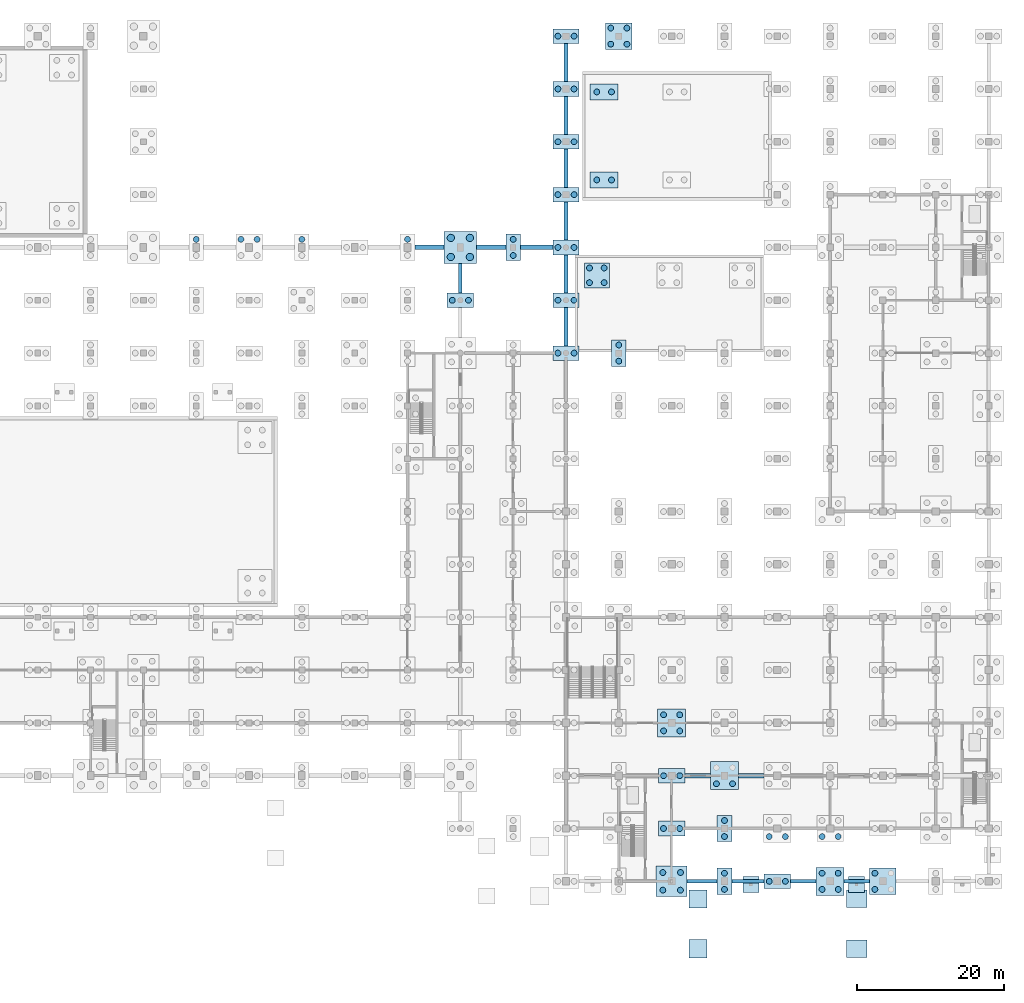
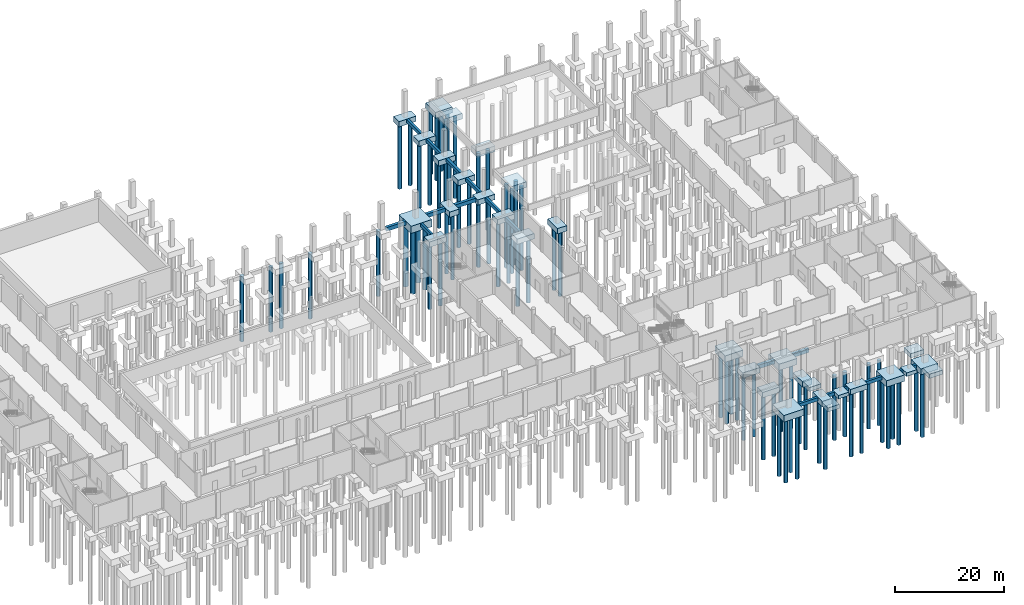
# One storey, part 6 of 35: 71 piles, 47 footings.
"""IFC4 building model written with IfcOpenShell, lengths in metres."""

from ifc_helpers import new_model, si_unit, direction, frame, origin, origin_2d, place, context, subcontext, project, spatial, polyline, rectangle, circle, outline, extrude, material, material_profile, profile_set, type_object, element, save


model = new_model("IFC4")

# Units and contexts
model_context = context("Model", 3, precision=1e-05, world=origin(), true_north=direction((0.0, 1.0)))
body_context = subcontext(model_context, "Body", "Model", "MODEL_VIEW")
ifc_project = project(units=[si_unit("LENGTHUNIT", "METRE"), si_unit("AREAUNIT", "SQUARE_METRE"), si_unit("VOLUMEUNIT", "CUBIC_METRE"), si_unit("PLANEANGLEUNIT", "RADIAN"), si_unit("MASSUNIT", "GRAM", prefix="KILO")], contexts=[model_context])

# Site, building, storey
site_placement = place(None, origin())
site = spatial("IfcSite", under=ifc_project, at=site_placement, CompositionType="ELEMENT")
building_placement = place(site_placement, origin())
building = spatial("IfcBuilding", under=site, at=building_placement, Name="Vesperath Aquatics Centre", CompositionType="ELEMENT")
storey_placement = place(building_placement, frame((0.0, 0.0, -5.39990234375)))
storey = spatial("IfcBuildingStorey", under=building, at=storey_placement, Name="B1", CompositionType="ELEMENT", Elevation=-5.39990234375)

# Footings
ifc_material_1 = material(Name="Concrete C40", Category="concrete")
footing_type_1 = type_object("IfcFootingType", Name="FT-GB01", PredefinedType="FOOTING_BEAM", material=ifc_material_1)
footing_1_placement = place(storey_placement, frame((0.0, 0.0, -1.150146484375)))
element("IfcFooting", 1, at=footing_1_placement, inside=storey, type_object=footing_type_1, Name="Foundation Ground Beam GB01 15 M-N", PredefinedType="FOOTING_BEAM", context=body_context, shape_type="SweptSolid", body=[
    extrude(outline(polyline([(100.574951171875, 80.199951171875), (101.02490234375, 80.199951171875), (101.02490234375, 84.199951171875), (100.574951171875, 84.199951171875), (100.574951171875, 80.199951171875)])), origin(), (0.0, 0.0, 1.0), 0.699951171875),
])
footing_type_2 = type_object("IfcFootingType", Name="FT-GB02", PredefinedType="FOOTING_BEAM", material=ifc_material_1)
footing_2_placement = place(storey_placement, frame((0.0, 0.0, -1.2001953125)))
element("IfcFooting", 2, at=footing_2_placement, inside=storey, type_object=footing_type_2, Name="Foundation Ground Beam GB02 17 L-M", PredefinedType="FOOTING_BEAM", context=body_context, shape_type="SweptSolid", body=[
    extrude(outline(polyline([(114.949951171875, 73.0), (115.449951171875, 73.0), (115.449951171875, 78.199951171875), (114.949951171875, 78.199951171875), (114.949951171875, 73.0)])), origin(), (0.0, 0.0, 1.0), 0.75),
])
footing_3_placement = place(storey_placement, frame((0.0, 0.0, -1.2001953125)))
element("IfcFooting", 3, at=footing_3_placement, inside=storey, type_object=footing_type_2, Name="Foundation Ground Beam GB02 17 M-N", PredefinedType="FOOTING_BEAM", context=body_context, shape_type="SweptSolid", body=[
    extrude(outline(polyline([(114.949951171875, 80.199951171875), (115.449951171875, 80.199951171875), (115.449951171875, 85.39990234375), (114.949951171875, 85.39990234375), (114.949951171875, 80.199951171875)])), origin(), (0.0, 0.0, 1.0), 0.75),
])
footing_4_placement = place(storey_placement, frame((0.0, 0.0, -1.2001953125)))
element("IfcFooting", 4, at=footing_4_placement, inside=storey, type_object=footing_type_2, Name="Foundation Ground Beam GB02 17 N-P", PredefinedType="FOOTING_BEAM", context=body_context, shape_type="SweptSolid", body=[
    extrude(outline(polyline([(114.949951171875, 87.39990234375), (115.449951171875, 87.39990234375), (115.449951171875, 92.60009765625), (114.949951171875, 92.60009765625), (114.949951171875, 87.39990234375)])), origin(), (0.0, 0.0, 1.0), 0.75),
])
footing_5_placement = place(storey_placement, frame((0.0, 0.0, -1.2001953125)))
element("IfcFooting", 5, at=footing_5_placement, inside=storey, type_object=footing_type_2, Name="Foundation Ground Beam GB02 17 P-Q", PredefinedType="FOOTING_BEAM", context=body_context, shape_type="SweptSolid", body=[
    extrude(outline(polyline([(114.949951171875, 94.60009765625), (115.449951171875, 94.60009765625), (115.449951171875, 99.800048828125), (114.949951171875, 99.800048828125), (114.949951171875, 94.60009765625)])), origin(), (0.0, 0.0, 1.0), 0.75),
])
footing_6_placement = place(storey_placement, frame((0.0, 0.0, -1.2001953125)))
element("IfcFooting", 6, at=footing_6_placement, inside=storey, type_object=footing_type_2, Name="Foundation Ground Beam GB02 17 Q-R", PredefinedType="FOOTING_BEAM", context=body_context, shape_type="SweptSolid", body=[
    extrude(outline(polyline([(114.949951171875, 101.800048828125), (115.449951171875, 101.800048828125), (115.449951171875, 107.0), (114.949951171875, 107.0), (114.949951171875, 101.800048828125)])), origin(), (0.0, 0.0, 1.0), 0.75),
])
footing_7_placement = place(storey_placement, frame((0.0, 0.0, -1.2001953125)))
element("IfcFooting", 7, at=footing_7_placement, inside=storey, type_object=footing_type_2, Name="Foundation Ground Beam GB02 17 R-S", PredefinedType="FOOTING_BEAM", context=body_context, shape_type="SweptSolid", body=[
    extrude(outline(polyline([(114.949951171875, 109.0), (115.449951171875, 109.0), (115.449951171875, 114.199951171875), (114.949951171875, 114.199951171875), (114.949951171875, 109.0)])), origin(), (0.0, 0.0, 1.0), 0.75),
])
footing_8_placement = place(storey_placement, frame((0.0, 0.0, -1.2001953125)))
element("IfcFooting", 8, at=footing_8_placement, inside=storey, type_object=footing_type_2, Name="Foundation Ground Beam GB02 A 19-20", PredefinedType="FOOTING_BEAM", context=body_context, shape_type="SweptSolid", body=[
    extrude(outline(polyline([(131.699951171875, -0.25), (135.800048828125, -0.25), (135.800048828125, 0.25), (131.699951171875, 0.25), (131.699951171875, -0.25)])), origin(), (0.0, 0.0, 1.0), 0.75),
])
footing_9_placement = place(storey_placement, frame((0.0, 0.0, -1.2001953125)))
element("IfcFooting", 9, at=footing_9_placement, inside=storey, type_object=footing_type_2, Name="Foundation Ground Beam GB02 A 20-21", PredefinedType="FOOTING_BEAM", context=body_context, shape_type="SweptSolid", body=[
    extrude(outline(polyline([(137.800048828125, -0.25), (142.199951171875, -0.25), (142.199951171875, 0.25), (137.800048828125, 0.25), (137.800048828125, -0.25)])), origin(), (0.0, 0.0, 1.0), 0.75),
])
footing_10_placement = place(storey_placement, frame((0.0, 0.0, -1.2001953125)))
element("IfcFooting", 10, at=footing_10_placement, inside=storey, type_object=footing_type_2, Name="Foundation Ground Beam GB02 A 21-22", PredefinedType="FOOTING_BEAM", context=body_context, shape_type="SweptSolid", body=[
    extrude(outline(polyline([(145.800048828125, -0.25), (149.300048828125, -0.25), (149.300048828125, 0.25), (145.800048828125, 0.25), (145.800048828125, -0.25)])), origin(), (0.0, 0.0, 1.0), 0.75),
])
footing_11_placement = place(storey_placement, frame((0.0, 0.0, -1.2001953125)))
element("IfcFooting", 11, at=footing_11_placement, inside=storey, type_object=footing_type_2, Name="Foundation Ground Beam GB02 A 22-23", PredefinedType="FOOTING_BEAM", context=body_context, shape_type="SweptSolid", body=[
    extrude(outline(polyline([(153.10009765625, -0.25), (156.60009765625, -0.25), (156.60009765625, 0.25), (153.10009765625, 0.25), (153.10009765625, -0.25)])), origin(), (0.0, 0.0, 1.0), 0.75),
])
footing_type_3 = type_object("IfcFootingType", Name="FT-GB03", PredefinedType="FOOTING_BEAM", material=ifc_material_1)
footing_12_placement = place(storey_placement, frame((0.0, 0.0, -1.300048828125)))
element("IfcFooting", 12, at=footing_12_placement, inside=storey, type_object=footing_type_3, Name="Foundation Ground Beam GB03 N 14-15", PredefinedType="FOOTING_BEAM", context=body_context, shape_type="SweptSolid", body=[
    extrude(outline(polyline([(94.60009765625, 86.10009765625), (98.60009765625, 86.10009765625), (98.60009765625, 86.699951171875), (94.60009765625, 86.699951171875), (94.60009765625, 86.10009765625)])), origin(), (0.0, 0.0, 1.0), 0.849853515625),
])
footing_13_placement = place(storey_placement, frame((0.0, 0.0, -1.300048828125)))
element("IfcFooting", 13, at=footing_13_placement, inside=storey, type_object=footing_type_3, Name="Foundation Ground Beam GB03 N 15-16", PredefinedType="FOOTING_BEAM", context=body_context, shape_type="SweptSolid", body=[
    extrude(outline(polyline([(103.0, 86.10009765625), (107.0, 86.10009765625), (107.0, 86.699951171875), (103.0, 86.699951171875), (103.0, 86.10009765625)])), origin(), (0.0, 0.0, 1.0), 0.849853515625),
])
footing_14_placement = place(storey_placement, frame((0.0, 0.0, -1.300048828125)))
element("IfcFooting", 14, at=footing_14_placement, inside=storey, type_object=footing_type_3, Name="Foundation Ground Beam GB03 N 16-17", PredefinedType="FOOTING_BEAM", context=body_context, shape_type="SweptSolid", body=[
    extrude(outline(polyline([(109.0, 86.10009765625), (113.39990234375, 86.10009765625), (113.39990234375, 86.699951171875), (109.0, 86.699951171875), (109.0, 86.10009765625)])), origin(), (0.0, 0.0, 1.0), 0.849853515625),
])
footing_15_placement = place(storey_placement, frame((0.0, 0.0, -1.300048828125)))
element("IfcFooting", 15, at=footing_15_placement, inside=storey, type_object=footing_type_3, Name="Foundation Ground Beam GB03 C 19-20", PredefinedType="FOOTING_BEAM", context=body_context, shape_type="SweptSolid", body=[
    extrude(outline(polyline([(131.39990234375, 14.10009765625), (134.89990234375, 14.10009765625), (134.89990234375, 14.699951171875), (131.39990234375, 14.699951171875), (131.39990234375, 14.10009765625)])), origin(), (0.0, 0.0, 1.0), 0.849853515625),
])
footing_16_placement = place(storey_placement, frame((0.0, 0.0, -1.300048828125)))
element("IfcFooting", 16, at=footing_16_placement, inside=storey, type_object=footing_type_3, Name="Foundation Ground Beam GB03 C 20-21", PredefinedType="FOOTING_BEAM", context=body_context, shape_type="SweptSolid", body=[
    extrude(outline(polyline([(138.699951171875, 14.10009765625), (142.199951171875, 14.10009765625), (142.199951171875, 14.699951171875), (138.699951171875, 14.699951171875), (138.699951171875, 14.10009765625)])), origin(), (0.0, 0.0, 1.0), 0.849853515625),
])
footing_type_4 = type_object("IfcFootingType", Name="FT-PC01", PredefinedType="PILE_CAP", material=ifc_material_1)
for number, where, z_axis, x_axis, name in (
    (17, (100.800048828125, 79.199951171875, -1.64990234375), (0.0, 0.0, 1.0), (1.0, 0.0, 0.0), "Pile Cap PC01 at 15/M"),
    (18, (115.199951171875, 72.0, -1.64990234375), (0.0, 0.0, 1.0), (1.0, 0.0, 0.0), "Pile Cap PC01 at 17/L"),
    (19, (115.199951171875, 79.199951171875, -1.64990234375), (0.0, 0.0, 1.0), (1.0, 0.0, 0.0), "Pile Cap PC01 at 17/M"),
    (20, (115.199951171875, 86.39990234375, -1.64990234375), (0.0, 0.0, 1.0), (1.0, 0.0, 0.0), "Pile Cap PC01 at 17/N"),
    (21, (115.199951171875, 93.60009765625, -1.64990234375), (0.0, 0.0, 1.0), (1.0, 0.0, 0.0), "Pile Cap PC01 at 17/P"),
    (22, (115.199951171875, 100.800048828125, -1.64990234375), (0.0, 0.0, 1.0), (1.0, 0.0, 0.0), "Pile Cap PC01 at 17/Q"),
    (23, (115.199951171875, 108.0, -1.64990234375), (0.0, 0.0, 1.0), (1.0, 0.0, 0.0), "Pile Cap PC01 at 17/R"),
    (24, (115.199951171875, 115.199951171875, -1.64990234375), (0.0, 0.0, 1.0), (1.0, 0.0, 0.0), "Pile Cap PC01 at 17/S"),
    (25, (129.60009765625, 7.199951171875, -1.64990234375), (0.0, 0.0, 1.0), (1.0, 0.0, 0.0), "Pile Cap PC01 at 19/B"),
    (26, (129.60009765625, 14.39990234375, -1.64990234375), (0.0, 0.0, 1.0), (1.0, 0.0, 0.0), "Pile Cap PC01 at 19/C"),
    (27, (144.0, 0.0, -1.64990234375), (0.0, 0.0, 1.0), (1.0, 0.0, 0.0), "Pile Cap PC01 at 21/A"),
):
    element("IfcFooting", number, at=place(storey_placement, frame(where, z_axis=z_axis, x_axis=x_axis)), inside=storey, type_object=footing_type_4, Name=name, PredefinedType="PILE_CAP", context=body_context, shape_type="SweptSolid", body=[
        extrude(rectangle(XDim=3.60009765625, YDim=2.0, at=origin_2d()), origin(), (0.0, 0.0, 1.0), 1.199951171875),
    ])
footing_type_5 = type_object("IfcFootingType", Name="FT-PC02", PredefinedType="PILE_CAP", material=ifc_material_1)
for number, where, z_axis, x_axis, name in (
    (28, (108.0, 86.39990234375, -1.64990234375), (0.0, 0.0, 1.0), (1.0, 0.0, 0.0), "Pile Cap PC02 at 16/N"),
    (29, (122.39990234375, 72.0, -1.64990234375), (0.0, 0.0, 1.0), (1.0, 0.0, 0.0), "Pile Cap PC02 at 18/L"),
    (30, (136.800048828125, 0.0, -1.64990234375), (0.0, 0.0, 1.0), (1.0, 0.0, 0.0), "Pile Cap PC02 at 20/A"),
    (31, (136.800048828125, 7.199951171875, -1.64990234375), (0.0, 0.0, 1.0), (1.0, 0.0, 0.0), "Pile Cap PC02 at 20/B"),
):
    element("IfcFooting", number, at=place(storey_placement, frame(where, z_axis=z_axis, x_axis=x_axis)), inside=storey, type_object=footing_type_5, Name=name, PredefinedType="PILE_CAP", context=body_context, shape_type="SweptSolid", body=[
        extrude(rectangle(XDim=2.0, YDim=3.60009765625, at=origin_2d()), origin(), (0.0, 0.0, 1.0), 1.199951171875),
    ])
footing_type_6 = type_object("IfcFootingType", Name="FT-PC03", PredefinedType="PILE_CAP", material=ifc_material_1)
for number, where, z_axis, x_axis, name in (
    (32, (122.39990234375, 115.199951171875, -1.75), (0.0, 0.0, 1.0), (1.0, 0.0, 0.0), "Pile Cap PC03 at 18/S"),
    (33, (158.39990234375, 0.0, -1.75), (0.0, 0.0, 1.0), (1.0, 0.0, 0.0), "Pile Cap PC03 at 23/A"),
):
    element("IfcFooting", number, at=place(storey_placement, frame(where, z_axis=z_axis, x_axis=x_axis)), inside=storey, type_object=footing_type_6, Name=name, PredefinedType="PILE_CAP", context=body_context, shape_type="SweptSolid", body=[
        extrude(rectangle(XDim=3.60009765625, YDim=3.60009765625, at=origin_2d()), origin(), (0.0, 0.0, 1.0), 1.300048828125),
    ])
footing_type_7 = type_object("IfcFootingType", Name="FT-PC04", PredefinedType="PILE_CAP", material=ifc_material_1)
for number, where, z_axis, x_axis, name in (
    (34, (129.60009765625, 21.60009765625, -1.85009765625), (0.0, 0.0, 1.0), (1.0, 0.0, 0.0), "Pile Cap PC04 at 19/D"),
    (35, (136.800048828125, 14.39990234375, -1.85009765625), (0.0, 0.0, 1.0), (1.0, 0.0, 0.0), "Pile Cap PC04 at 20/C"),
    (36, (151.199951171875, 0.0, -1.85009765625), (0.0, 0.0, 1.0), (1.0, 0.0, 0.0), "Pile Cap PC04 at 22/A"),
):
    element("IfcFooting", number, at=place(storey_placement, frame(where, z_axis=z_axis, x_axis=x_axis)), inside=storey, type_object=footing_type_7, Name=name, PredefinedType="PILE_CAP", context=body_context, shape_type="SweptSolid", body=[
        extrude(rectangle(XDim=3.800048828125, YDim=3.800048828125, at=origin_2d()), origin(), (0.0, 0.0, 1.0), 1.39990234375),
    ])
footing_type_8 = type_object("IfcFootingType", Name="FT-PC06", PredefinedType="PILE_CAP", material=ifc_material_1)
footing_17_placement = place(storey_placement, frame((129.60009765625, 0.0, -1.9501953125), z_axis=(0.0, 0.0, 1.0), x_axis=(1.0, 0.0, 0.0)))
element("IfcFooting", 37, at=footing_17_placement, inside=storey, type_object=footing_type_8, Name="Pile Cap PC06 at 19/A", PredefinedType="PILE_CAP", context=body_context, shape_type="SweptSolid", body=[
    extrude(rectangle(XDim=4.199951171875, YDim=4.199951171875, at=origin_2d()), origin(), (0.0, 0.0, 1.0), 1.5),
])
footing_type_9 = type_object("IfcFootingType", Name="FT-PC07", PredefinedType="PILE_CAP", material=ifc_material_1)
footing_18_placement = place(storey_placement, frame((100.800048828125, 86.39990234375, -2.050048828125), z_axis=(0.0, 0.0, 1.0), x_axis=(1.0, 0.0, 0.0)))
element("IfcFooting", 38, at=footing_18_placement, inside=storey, type_object=footing_type_9, Name="Pile Cap PC07 at 15/N", PredefinedType="PILE_CAP", context=body_context, shape_type="SweptSolid", body=[
    extrude(rectangle(XDim=4.39990234375, YDim=4.39990234375, at=origin_2d()), origin(), (0.0, 0.0, 1.0), 1.60009765625),
])
footing_type_10 = type_object("IfcFootingType", Name="FT-PC10", PredefinedType="PILE_CAP", material=ifc_material_1)
for number, where, z_axis, x_axis, name in (
    (39, (120.39990234375, 95.60009765625, 1.72998046875), (0.0, 0.0, 1.0), (1.0, 0.0, 0.0), "Training and Warm-Up Pool Sub-Basin Pile Cap PC10-1"),
    (40, (120.39990234375, 107.60009765625, 1.72998046875), (0.0, 0.0, 1.0), (1.0, 0.0, 0.0), "Training and Warm-Up Pool Sub-Basin Pile Cap PC10-2"),
):
    element("IfcFooting", number, at=place(storey_placement, frame(where, z_axis=z_axis, x_axis=x_axis)), inside=storey, type_object=footing_type_10, Name=name, PredefinedType="PILE_CAP", context=body_context, shape_type="SweptSolid", body=[
        extrude(rectangle(XDim=3.800048828125, YDim=2.199951171875, at=origin_2d()), origin(), (0.0, 0.0, 1.0), 1.25),
    ])
footing_type_11 = type_object("IfcFootingType", Name="FT-PC12", PredefinedType="PILE_CAP", material=ifc_material_1)
footing_19_placement = place(storey_placement, frame((119.39990234375, 82.60009765625, 2.39990234375), z_axis=(0.0, 0.0, 1.0), x_axis=(1.0, 0.0, 0.0)))
element("IfcFooting", 41, at=footing_19_placement, inside=storey, type_object=footing_type_11, Name="Leisure and Teaching Pool Sub-Basin Pile Cap PC12-1", PredefinedType="PILE_CAP", context=body_context, shape_type="SweptSolid", body=[
    extrude(rectangle(XDim=3.39990234375, YDim=3.39990234375, at=origin_2d()), origin(), (0.0, 0.0, 1.0), 1.25),
])
footing_type_12 = type_object("IfcFootingType", Name="FT-PF01", PredefinedType="PAD_FOOTING", material=ifc_material_1)
for number, where, z_axis, x_axis, name in (
    (42, (140.39990234375, -0.449951171875, -1.25), (0.0, 0.0, 1.0), (1.0, 0.0, 0.0), "Plinth Pilaster Pad Footing PF01-02"),
    (43, (154.800048828125, -0.449951171875, -1.25), (0.0, 0.0, 1.0), (1.0, 0.0, 0.0), "Plinth Pilaster Pad Footing PF01-03"),
):
    element("IfcFooting", number, at=place(storey_placement, frame(where, z_axis=z_axis, x_axis=x_axis)), inside=storey, type_object=footing_type_12, Name=name, PredefinedType="PAD_FOOTING", context=body_context, shape_type="SweptSolid", body=[
        extrude(rectangle(XDim=2.199951171875, YDim=2.199951171875, at=origin_2d()), origin(), (0.0, 0.0, 1.0), 0.800048828125),
    ])
footing_type_13 = type_object("IfcFootingType", Name="FT-PF02", PredefinedType="PAD_FOOTING", material=ifc_material_1)
for number, where, z_axis, x_axis, name in (
    (44, (133.199951171875, -9.199951171875, 3.81005859375), (0.0, 0.0, 1.0), (1.0, 0.0, 0.0), "Forecourt Ramp Pad Footing PF02 PAD_RMP_5A"),
    (45, (133.199951171875, -2.39990234375, 4.260009765625), (0.0, 0.0, 1.0), (1.0, 0.0, 0.0), "Forecourt Ramp Pad Footing PF02 PAD_RMP_5B"),
):
    element("IfcFooting", number, at=place(storey_placement, frame(where, z_axis=z_axis, x_axis=x_axis)), inside=storey, type_object=footing_type_13, Name=name, PredefinedType="PAD_FOOTING", context=body_context, shape_type="SweptSolid", body=[
        extrude(rectangle(XDim=2.5, YDim=2.5, at=origin_2d()), origin(), (0.0, 0.0, 1.0), 0.89990234375),
    ])
footing_type_14 = type_object("IfcFootingType", Name="FT-PF03", PredefinedType="PAD_FOOTING", material=ifc_material_1)
for number, where, z_axis, x_axis, name in (
    (46, (154.800048828125, -9.199951171875, 3.759765625), (0.0, 0.0, 1.0), (1.0, 0.0, 0.0), "Forecourt Ramp Pad Footing PF03 PAD_RMP_6A"),
    (47, (154.800048828125, -2.39990234375, 4.2099609375), (0.0, 0.0, 1.0), (1.0, 0.0, 0.0), "Forecourt Ramp Pad Footing PF03 PAD_RMP_6B"),
):
    element("IfcFooting", number, at=place(storey_placement, frame(where, z_axis=z_axis, x_axis=x_axis)), inside=storey, type_object=footing_type_14, Name=name, PredefinedType="PAD_FOOTING", context=body_context, shape_type="SweptSolid", body=[
        extrude(rectangle(XDim=2.800048828125, YDim=2.39990234375, at=origin_2d()), origin(), (0.0, 0.0, 1.0), 0.949951171875),
    ])

# Piles
ifc_material_2 = material(Name="Concrete C35", Category="concrete")
ifc_material_profile_1 = material_profile(ifc_material_2, circle(Radius=0.39990234375, at=origin_2d()), Name="PILE D800")
ifc_profile_set_1 = profile_set([ifc_material_profile_1], Name="Concrete C35")
pile_type_1 = type_object("IfcPileType", Name="PL-BP01", PredefinedType="BORED", material=ifc_profile_set_1)
pile_placement = place(storey_placement, frame((64.800048828125, 87.5, -1.5), z_axis=(0.0, 0.0, -1.0), x_axis=(1.0, 0.0, 0.0)))
element("IfcPile", 48, at=pile_placement, inside=storey, type_object=pile_type_1, Name="Bored Pile BP01 CAP_09_12-2", PredefinedType="BORED", context=body_context, shape_type="SweptSolid", body=[
    extrude(circle(Radius=0.39990234375, at=origin_2d()), origin(), (0.0, 0.0, 1.0), 14.60009765625),
])
for number, where, z_axis, x_axis, name in (
    (49, (70.89990234375, 87.5, -1.60009765625), (0.0, 0.0, -1.0), (1.0, 0.0, 0.0), "Bored Pile BP01 CAP_10_12-3"),
    (50, (73.10009765625, 87.5, -1.60009765625), (0.0, 0.0, -1.0), (1.0, 0.0, 0.0), "Bored Pile BP01 CAP_10_12-4"),
):
    element("IfcPile", number, at=place(storey_placement, frame(where, z_axis=z_axis, x_axis=x_axis)), inside=storey, type_object=pile_type_1, Name=name, PredefinedType="BORED", context=body_context, shape_type="SweptSolid", body=[
        extrude(circle(Radius=0.39990234375, at=origin_2d()), origin(), (0.0, 0.0, 1.0), 14.5),
    ])
for number, where, z_axis, x_axis, name in (
    (51, (79.199951171875, 87.5, -1.5), (0.0, 0.0, -1.0), (1.0, 0.0, 0.0), "Bored Pile BP01 CAP_11_12-2"),
    (52, (93.60009765625, 87.5, -1.5), (0.0, 0.0, -1.0), (1.0, 0.0, 0.0), "Bored Pile BP01 CAP_13_12-2"),
    (53, (99.699951171875, 79.199951171875, -1.5), (0.0, 0.0, -1.0), (1.0, 0.0, 0.0), "Bored Pile BP01 CAP_14_11-1"),
    (54, (101.89990234375, 79.199951171875, -1.5), (0.0, 0.0, -1.0), (1.0, 0.0, 0.0), "Bored Pile BP01 CAP_14_11-2"),
    (55, (108.0, 85.300048828125, -1.5), (0.0, 0.0, -1.0), (1.0, 0.0, 0.0), "Bored Pile BP01 CAP_15_12-1"),
    (56, (108.0, 87.5, -1.5), (0.0, 0.0, -1.0), (1.0, 0.0, 0.0), "Bored Pile BP01 CAP_15_12-2"),
    (57, (114.10009765625, 72.0, -1.5), (0.0, 0.0, -1.0), (1.0, 0.0, 0.0), "Bored Pile BP01 CAP_16_10-1"),
    (58, (116.300048828125, 72.0, -1.5), (0.0, 0.0, -1.0), (1.0, 0.0, 0.0), "Bored Pile BP01 CAP_16_10-2"),
    (59, (114.10009765625, 79.199951171875, -1.5), (0.0, 0.0, -1.0), (1.0, 0.0, 0.0), "Bored Pile BP01 CAP_16_11-1"),
    (60, (116.300048828125, 79.199951171875, -1.5), (0.0, 0.0, -1.0), (1.0, 0.0, 0.0), "Bored Pile BP01 CAP_16_11-2"),
    (61, (114.10009765625, 86.39990234375, -1.5), (0.0, 0.0, -1.0), (1.0, 0.0, 0.0), "Bored Pile BP01 CAP_16_12-1"),
    (62, (116.300048828125, 86.39990234375, -1.5), (0.0, 0.0, -1.0), (1.0, 0.0, 0.0), "Bored Pile BP01 CAP_16_12-2"),
    (63, (114.10009765625, 93.60009765625, -1.5), (0.0, 0.0, -1.0), (1.0, 0.0, 0.0), "Bored Pile BP01 CAP_16_13-1"),
    (64, (116.300048828125, 93.60009765625, -1.5), (0.0, 0.0, -1.0), (1.0, 0.0, 0.0), "Bored Pile BP01 CAP_16_13-2"),
    (65, (114.10009765625, 100.800048828125, -1.5), (0.0, 0.0, -1.0), (1.0, 0.0, 0.0), "Bored Pile BP01 CAP_16_14-1"),
    (66, (116.300048828125, 100.800048828125, -1.5), (0.0, 0.0, -1.0), (1.0, 0.0, 0.0), "Bored Pile BP01 CAP_16_14-2"),
    (67, (114.10009765625, 108.0, -1.5), (0.0, 0.0, -1.0), (1.0, 0.0, 0.0), "Bored Pile BP01 CAP_16_15-1"),
    (68, (116.300048828125, 108.0, -1.5), (0.0, 0.0, -1.0), (1.0, 0.0, 0.0), "Bored Pile BP01 CAP_16_15-2"),
    (69, (114.10009765625, 115.199951171875, -1.5), (0.0, 0.0, -1.0), (1.0, 0.0, 0.0), "Bored Pile BP01 CAP_16_16-1"),
    (70, (116.300048828125, 115.199951171875, -1.5), (0.0, 0.0, -1.0), (1.0, 0.0, 0.0), "Bored Pile BP01 CAP_16_16-2"),
    (71, (122.39990234375, 70.89990234375, -1.5), (0.0, 0.0, -1.0), (1.0, 0.0, 0.0), "Bored Pile BP01 CAP_17_10-1"),
    (72, (122.39990234375, 73.10009765625, -1.5), (0.0, 0.0, -1.0), (1.0, 0.0, 0.0), "Bored Pile BP01 CAP_17_10-2"),
):
    element("IfcPile", number, at=place(storey_placement, frame(where, z_axis=z_axis, x_axis=x_axis)), inside=storey, type_object=pile_type_1, Name=name, PredefinedType="BORED", context=body_context, shape_type="SweptSolid", body=[
        extrude(circle(Radius=0.39990234375, at=origin_2d()), origin(), (0.0, 0.0, 1.0), 14.60009765625),
    ])
for number, where, z_axis, x_axis, name in (
    (73, (121.300048828125, 114.10009765625, -1.60009765625), (0.0, 0.0, -1.0), (1.0, 0.0, 0.0), "Bored Pile BP01 CAP_17_16-1"),
    (74, (123.5, 114.10009765625, -1.60009765625), (0.0, 0.0, -1.0), (1.0, 0.0, 0.0), "Bored Pile BP01 CAP_17_16-2"),
    (75, (121.300048828125, 116.300048828125, -1.60009765625), (0.0, 0.0, -1.0), (1.0, 0.0, 0.0), "Bored Pile BP01 CAP_17_16-3"),
    (76, (123.5, 116.300048828125, -1.60009765625), (0.0, 0.0, -1.0), (1.0, 0.0, 0.0), "Bored Pile BP01 CAP_17_16-4"),
):
    element("IfcPile", number, at=place(storey_placement, frame(where, z_axis=z_axis, x_axis=x_axis)), inside=storey, type_object=pile_type_1, Name=name, PredefinedType="BORED", context=body_context, shape_type="SweptSolid", body=[
        extrude(circle(Radius=0.39990234375, at=origin_2d()), origin(), (0.0, 0.0, 1.0), 14.5),
    ])
for number, where, z_axis, x_axis, name in (
    (77, (128.39990234375, -1.199951171875, -1.800048828125), (0.0, 0.0, -1.0), (1.0, 0.0, 0.0), "Bored Pile BP01 CAP_18_00-1"),
    (78, (130.800048828125, -1.199951171875, -1.800048828125), (0.0, 0.0, -1.0), (1.0, 0.0, 0.0), "Bored Pile BP01 CAP_18_00-2"),
    (79, (128.39990234375, 1.199951171875, -1.800048828125), (0.0, 0.0, -1.0), (1.0, 0.0, 0.0), "Bored Pile BP01 CAP_18_00-3"),
    (80, (130.800048828125, 1.199951171875, -1.800048828125), (0.0, 0.0, -1.0), (1.0, 0.0, 0.0), "Bored Pile BP01 CAP_18_00-4"),
):
    element("IfcPile", number, at=place(storey_placement, frame(where, z_axis=z_axis, x_axis=x_axis)), inside=storey, type_object=pile_type_1, Name=name, PredefinedType="BORED", context=body_context, shape_type="SweptSolid", body=[
        extrude(circle(Radius=0.39990234375, at=origin_2d()), origin(), (0.0, 0.0, 1.0), 14.300048828125),
    ])
for number, where, z_axis, x_axis, name in (
    (81, (128.5, 7.199951171875, -1.5), (0.0, 0.0, -1.0), (1.0, 0.0, 0.0), "Bored Pile BP01 CAP_18_01-1"),
    (82, (130.699951171875, 7.199951171875, -1.5), (0.0, 0.0, -1.0), (1.0, 0.0, 0.0), "Bored Pile BP01 CAP_18_01-2"),
    (83, (128.5, 14.39990234375, -1.5), (0.0, 0.0, -1.0), (1.0, 0.0, 0.0), "Bored Pile BP01 CAP_18_02-1"),
    (84, (130.699951171875, 14.39990234375, -1.5), (0.0, 0.0, -1.0), (1.0, 0.0, 0.0), "Bored Pile BP01 CAP_18_02-2"),
):
    element("IfcPile", number, at=place(storey_placement, frame(where, z_axis=z_axis, x_axis=x_axis)), inside=storey, type_object=pile_type_1, Name=name, PredefinedType="BORED", context=body_context, shape_type="SweptSolid", body=[
        extrude(circle(Radius=0.39990234375, at=origin_2d()), origin(), (0.0, 0.0, 1.0), 14.60009765625),
    ])
for number, where, z_axis, x_axis, name in (
    (85, (128.5, 20.5, -1.7001953125), (0.0, 0.0, -1.0), (1.0, 0.0, 0.0), "Bored Pile BP01 CAP_18_03-1"),
    (86, (130.699951171875, 20.5, -1.7001953125), (0.0, 0.0, -1.0), (1.0, 0.0, 0.0), "Bored Pile BP01 CAP_18_03-2"),
    (87, (128.5, 22.699951171875, -1.7001953125), (0.0, 0.0, -1.0), (1.0, 0.0, 0.0), "Bored Pile BP01 CAP_18_03-3"),
    (88, (130.699951171875, 22.699951171875, -1.7001953125), (0.0, 0.0, -1.0), (1.0, 0.0, 0.0), "Bored Pile BP01 CAP_18_03-4"),
):
    element("IfcPile", number, at=place(storey_placement, frame(where, z_axis=z_axis, x_axis=x_axis)), inside=storey, type_object=pile_type_1, Name=name, PredefinedType="BORED", context=body_context, shape_type="SweptSolid", body=[
        extrude(circle(Radius=0.39990234375, at=origin_2d()), origin(), (0.0, 0.0, 1.0), 14.39990234375),
    ])
for number, where, z_axis, x_axis, name in (
    (89, (136.800048828125, -1.10009765625, -1.5), (0.0, 0.0, -1.0), (1.0, 0.0, 0.0), "Bored Pile BP01 CAP_19_00-1"),
    (90, (136.800048828125, 1.10009765625, -1.5), (0.0, 0.0, -1.0), (1.0, 0.0, 0.0), "Bored Pile BP01 CAP_19_00-2"),
    (91, (136.800048828125, 6.10009765625, -1.5), (0.0, 0.0, -1.0), (1.0, 0.0, 0.0), "Bored Pile BP01 CAP_19_01-1"),
    (92, (136.800048828125, 8.300048828125, -1.5), (0.0, 0.0, -1.0), (1.0, 0.0, 0.0), "Bored Pile BP01 CAP_19_01-2"),
):
    element("IfcPile", number, at=place(storey_placement, frame(where, z_axis=z_axis, x_axis=x_axis)), inside=storey, type_object=pile_type_1, Name=name, PredefinedType="BORED", context=body_context, shape_type="SweptSolid", body=[
        extrude(circle(Radius=0.39990234375, at=origin_2d()), origin(), (0.0, 0.0, 1.0), 14.60009765625),
    ])
for number, where, z_axis, x_axis, name in (
    (93, (135.699951171875, 13.300048828125, -1.7001953125), (0.0, 0.0, -1.0), (1.0, 0.0, 0.0), "Bored Pile BP01 CAP_19_02-1"),
    (94, (137.89990234375, 13.300048828125, -1.7001953125), (0.0, 0.0, -1.0), (1.0, 0.0, 0.0), "Bored Pile BP01 CAP_19_02-2"),
):
    element("IfcPile", number, at=place(storey_placement, frame(where, z_axis=z_axis, x_axis=x_axis)), inside=storey, type_object=pile_type_1, Name=name, PredefinedType="BORED", context=body_context, shape_type="SweptSolid", body=[
        extrude(circle(Radius=0.39990234375, at=origin_2d()), origin(), (0.0, 0.0, 1.0), 14.39990234375),
    ])
for number, where, z_axis, x_axis, name in (
    (95, (142.89990234375, 0.0, -1.5), (0.0, 0.0, -1.0), (1.0, 0.0, 0.0), "Bored Pile BP01 CAP_20_00-1"),
    (96, (145.10009765625, 0.0, -1.5), (0.0, 0.0, -1.0), (1.0, 0.0, 0.0), "Bored Pile BP01 CAP_20_00-2"),
):
    element("IfcPile", number, at=place(storey_placement, frame(where, z_axis=z_axis, x_axis=x_axis)), inside=storey, type_object=pile_type_1, Name=name, PredefinedType="BORED", context=body_context, shape_type="SweptSolid", body=[
        extrude(circle(Radius=0.39990234375, at=origin_2d()), origin(), (0.0, 0.0, 1.0), 14.60009765625),
    ])
for number, where, z_axis, x_axis, name in (
    (97, (142.89990234375, 6.10009765625, -1.7001953125), (0.0, 0.0, -1.0), (1.0, 0.0, 0.0), "Bored Pile BP01 CAP_20_01-1"),
    (98, (145.10009765625, 6.10009765625, -1.7001953125), (0.0, 0.0, -1.0), (1.0, 0.0, 0.0), "Bored Pile BP01 CAP_20_01-2"),
    (99, (150.10009765625, -1.10009765625, -1.7001953125), (0.0, 0.0, -1.0), (1.0, 0.0, 0.0), "Bored Pile BP01 CAP_21_00-1"),
    (100, (152.300048828125, -1.10009765625, -1.7001953125), (0.0, 0.0, -1.0), (1.0, 0.0, 0.0), "Bored Pile BP01 CAP_21_00-2"),
    (101, (150.10009765625, 1.10009765625, -1.7001953125), (0.0, 0.0, -1.0), (1.0, 0.0, 0.0), "Bored Pile BP01 CAP_21_00-3"),
    (102, (152.300048828125, 1.10009765625, -1.7001953125), (0.0, 0.0, -1.0), (1.0, 0.0, 0.0), "Bored Pile BP01 CAP_21_00-4"),
):
    element("IfcPile", number, at=place(storey_placement, frame(where, z_axis=z_axis, x_axis=x_axis)), inside=storey, type_object=pile_type_1, Name=name, PredefinedType="BORED", context=body_context, shape_type="SweptSolid", body=[
        extrude(circle(Radius=0.39990234375, at=origin_2d()), origin(), (0.0, 0.0, 1.0), 14.39990234375),
    ])
for number, where, z_axis, x_axis, name in (
    (103, (150.10009765625, 6.10009765625, -1.60009765625), (0.0, 0.0, -1.0), (1.0, 0.0, 0.0), "Bored Pile BP01 CAP_21_01-1"),
    (104, (152.300048828125, 6.10009765625, -1.60009765625), (0.0, 0.0, -1.0), (1.0, 0.0, 0.0), "Bored Pile BP01 CAP_21_01-2"),
    (105, (157.300048828125, -1.10009765625, -1.60009765625), (0.0, 0.0, -1.0), (1.0, 0.0, 0.0), "Bored Pile BP01 CAP_22_00-1"),
    (106, (157.300048828125, 1.10009765625, -1.60009765625), (0.0, 0.0, -1.0), (1.0, 0.0, 0.0), "Bored Pile BP01 CAP_22_00-3"),
):
    element("IfcPile", number, at=place(storey_placement, frame(where, z_axis=z_axis, x_axis=x_axis)), inside=storey, type_object=pile_type_1, Name=name, PredefinedType="BORED", context=body_context, shape_type="SweptSolid", body=[
        extrude(circle(Radius=0.39990234375, at=origin_2d()), origin(), (0.0, 0.0, 1.0), 14.5),
    ])
for number, where, z_axis, x_axis, name in (
    (107, (119.39990234375, 95.60009765625, 1.8798828125), (0.0, 0.0, -1.0), (1.0, 0.0, 0.0), "Bored Pile BP01 CAP_POOL_TRAIN_01-1"),
    (108, (121.39990234375, 95.60009765625, 1.8798828125), (0.0, 0.0, -1.0), (1.0, 0.0, 0.0), "Bored Pile BP01 CAP_POOL_TRAIN_01-2"),
    (109, (119.39990234375, 107.60009765625, 1.8798828125), (0.0, 0.0, -1.0), (1.0, 0.0, 0.0), "Bored Pile BP01 CAP_POOL_TRAIN_02-1"),
    (110, (121.39990234375, 107.60009765625, 1.8798828125), (0.0, 0.0, -1.0), (1.0, 0.0, 0.0), "Bored Pile BP01 CAP_POOL_TRAIN_02-2"),
):
    element("IfcPile", number, at=place(storey_placement, frame(where, z_axis=z_axis, x_axis=x_axis)), inside=storey, type_object=pile_type_1, Name=name, PredefinedType="BORED", context=body_context, shape_type="SweptSolid", body=[
        extrude(circle(Radius=0.39990234375, at=origin_2d()), origin(), (0.0, 0.0, 1.0), 17.97998046875),
    ])
for number, where, z_axis, x_axis, name in (
    (111, (118.39990234375, 81.60009765625, 2.5498046875), (0.0, 0.0, -1.0), (1.0, 0.0, 0.0), "Bored Pile BP01 CAP_POOL_LEIS_01-1"),
    (112, (120.39990234375, 81.60009765625, 2.5498046875), (0.0, 0.0, -1.0), (1.0, 0.0, 0.0), "Bored Pile BP01 CAP_POOL_LEIS_01-2"),
    (113, (118.39990234375, 83.60009765625, 2.5498046875), (0.0, 0.0, -1.0), (1.0, 0.0, 0.0), "Bored Pile BP01 CAP_POOL_LEIS_01-3"),
    (114, (120.39990234375, 83.60009765625, 2.5498046875), (0.0, 0.0, -1.0), (1.0, 0.0, 0.0), "Bored Pile BP01 CAP_POOL_LEIS_01-4"),
):
    element("IfcPile", number, at=place(storey_placement, frame(where, z_axis=z_axis, x_axis=x_axis)), inside=storey, type_object=pile_type_1, Name=name, PredefinedType="BORED", context=body_context, shape_type="SweptSolid", body=[
        extrude(circle(Radius=0.39990234375, at=origin_2d()), origin(), (0.0, 0.0, 1.0), 18.64990234375),
    ])
ifc_material_profile_2 = material_profile(ifc_material_2, circle(Radius=0.5, at=origin_2d()), Name="PILE D1000")
ifc_profile_set_2 = profile_set([ifc_material_profile_2], Name="Concrete C35")
pile_type_2 = type_object("IfcPileType", Name="PL-BP02", PredefinedType="BORED", material=ifc_profile_set_2)
for number, where, z_axis, x_axis, name in (
    (115, (99.5, 85.10009765625, -1.900146484375), (0.0, 0.0, -1.0), (1.0, 0.0, 0.0), "Bored Pile BP02 CAP_14_12-1"),
    (116, (102.10009765625, 85.10009765625, -1.900146484375), (0.0, 0.0, -1.0), (1.0, 0.0, 0.0), "Bored Pile BP02 CAP_14_12-2"),
    (117, (99.5, 87.699951171875, -1.900146484375), (0.0, 0.0, -1.0), (1.0, 0.0, 0.0), "Bored Pile BP02 CAP_14_12-3"),
    (118, (102.10009765625, 87.699951171875, -1.900146484375), (0.0, 0.0, -1.0), (1.0, 0.0, 0.0), "Bored Pile BP02 CAP_14_12-4"),
):
    element("IfcPile", number, at=place(storey_placement, frame(where, z_axis=z_axis, x_axis=x_axis)), inside=storey, type_object=pile_type_2, Name=name, PredefinedType="BORED", context=body_context, shape_type="SweptSolid", body=[
        extrude(circle(Radius=0.5, at=origin_2d()), origin(), (0.0, 0.0, 1.0), 14.199951171875),
    ])

save(model, "model.ifc")
